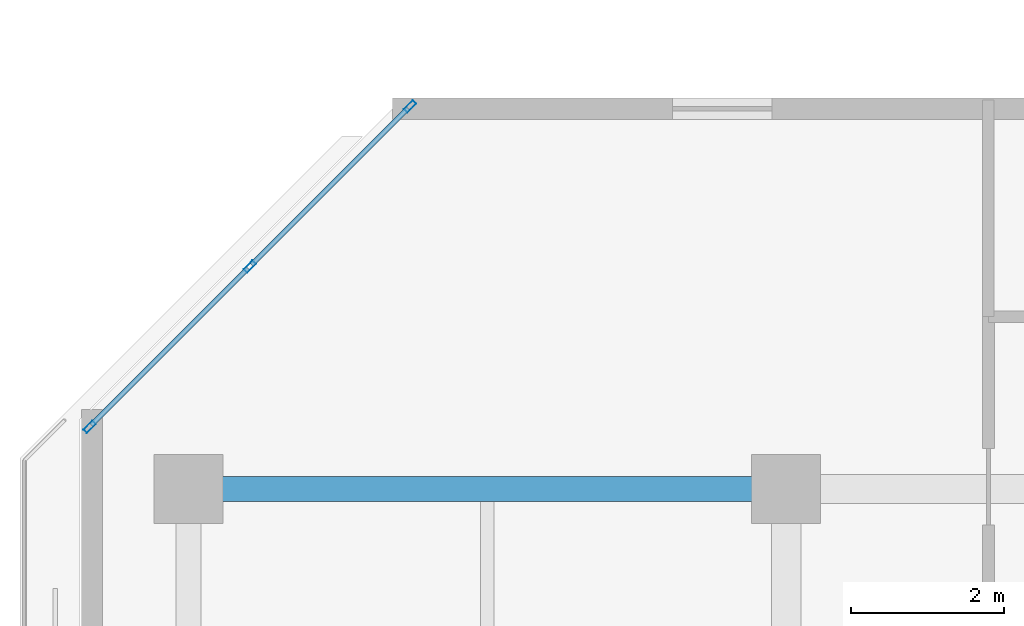
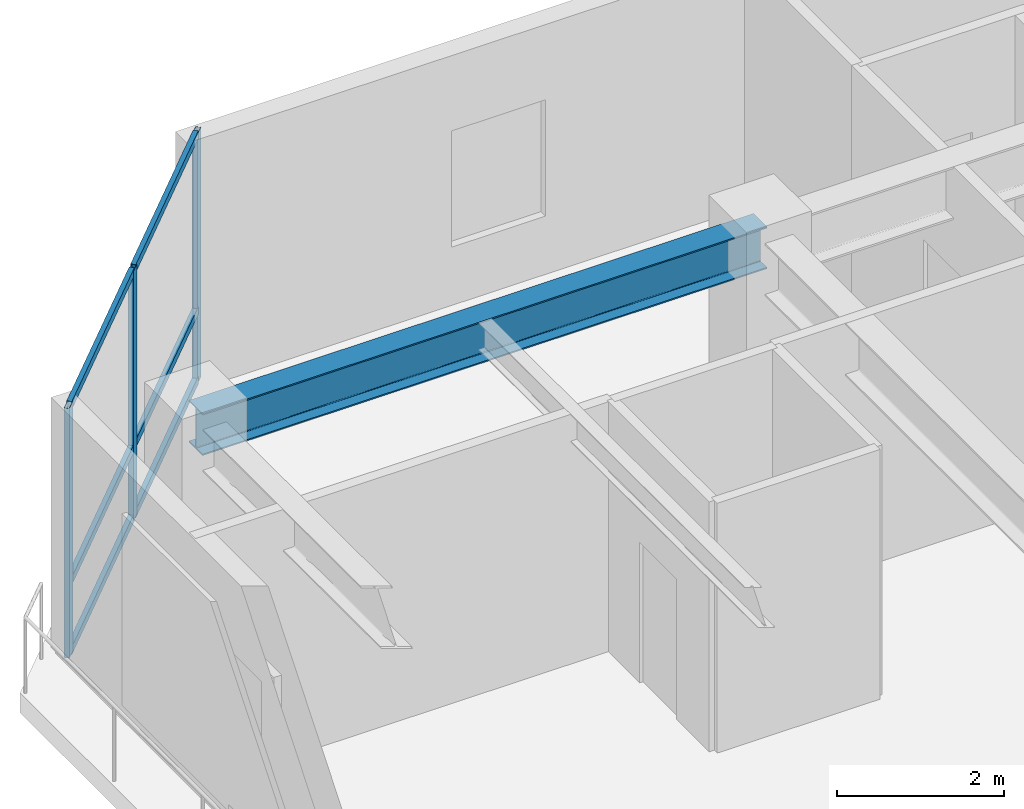
# One storey, part 2 of 10: 9 members, 1 beam, 1 element without a shape of its own.
"""IFC4 building model written with IfcOpenShell, lengths in metres."""

from ifc_helpers import new_model, si_unit, direction, frame, origin, origin_2d, place, context, subcontext, project, spatial, hollow_rectangle, i_section, extrude, material, layer, layer_set, material_profile, profile_set, type_object, element, aggregate, save


model = new_model("IFC4")

# Units and contexts
model_context = context("Model", 3, precision=1e-05, world=origin(), true_north=direction((0.0, 1.0)))
body_context = subcontext(model_context, "Body", "Model", "MODEL_VIEW")
ifc_project = project(units=[si_unit("LENGTHUNIT", "METRE"), si_unit("AREAUNIT", "SQUARE_METRE"), si_unit("VOLUMEUNIT", "CUBIC_METRE"), si_unit("PLANEANGLEUNIT", "RADIAN"), si_unit("MASSUNIT", "GRAM", prefix="KILO")], contexts=[model_context])

# Site, building, storey
site_placement = place(None, origin())
site = spatial("IfcSite", under=ifc_project, at=site_placement, CompositionType="ELEMENT")
building_placement = place(site_placement, origin())
building = spatial("IfcBuilding", under=site, at=building_placement, Name="Kestravale Grand Hotel", CompositionType="ELEMENT")
storey_placement = place(building_placement, frame((0.0, 0.0, 189.0)))
storey = spatial("IfcBuildingStorey", under=building, at=storey_placement, Name="L47", CompositionType="ELEMENT", Elevation=189.0)

# Beam
ifc_material_1 = material(Name="Steel ASTM A992 Grade 50", Category="steel")
ifc_material_profile_1 = material_profile(ifc_material_1, i_section(OverallWidth=0.324951171875, OverallDepth=0.612060546875, WebThickness=0.0126953125, FlangeThickness=0.01904296875, FilletRadius=0.018798828125, at=origin_2d()))
ifc_profile_set_1 = profile_set([ifc_material_profile_1], Name="Steel ASTM A992 Grade 50")
beam_type = type_object("IfcBeamType", Name="B-FLR-W24A", PredefinedType="SPANDREL", material=ifc_profile_set_1)
beam_placement = place(storey_placement, frame((7.800048828125, 38.39990234375, 3.343994140625), z_axis=(1.0, 0.0, 0.0), x_axis=(0.0, 1.0, 0.0)))
element("IfcBeam", 1, at=beam_placement, inside=storey, type_object=beam_type, Name="L47 spandrel F:2-3", PredefinedType="SPANDREL", context=body_context, shape_type="SweptSolid", body=[
    extrude(i_section(OverallWidth=0.324951171875, OverallDepth=0.612060546875, WebThickness=0.0126953125, FlangeThickness=0.01904296875, FilletRadius=0.018798828125, at=origin_2d()), origin(), (0.0, 0.0, 1.0), 7.800048828125),
])

# Curtain wall, members
ifc_material_2 = material(Name="Thermally broken champagne-bronze aluminium and low-E glazing", Category="aluminium")
ifc_layer = layer(ifc_material_2, 0.179931640625)
ifc_layer_set = layer_set([ifc_layer], Name="CW-Z3")
curtain_wall_type = type_object("IfcCurtainWallType", Name="CW-Z3", PredefinedType="NOTDEFINED", material=ifc_layer_set)
curtain_wall_placement = place(storey_placement, origin())
curtain_wall = element("IfcCurtainWall", 2, at=curtain_wall_placement, inside=storey, type_object=curtain_wall_type, Name="L47 unitised curtain wall 18", PredefinedType="NOTDEFINED")
ifc_material_3 = material(Name="Aluminium 6063-T6 anodised", Category="aluminium")
ifc_material_profile_2 = material_profile(ifc_material_3, hollow_rectangle(XDim=0.06494140625, YDim=0.1650390625, WallThickness=0.00341796875, at=origin_2d()))
ifc_profile_set_2 = profile_set([ifc_material_profile_2], Name="Aluminium 6063-T6 anodised")
member_type_1 = type_object("IfcMemberType", Name="CW-MUL-165", PredefinedType="MULLION", material=ifc_profile_set_2)
member_1_placement = place(storey_placement, frame((10.690185546875, 43.392333984375, 0.0), z_axis=(0.0, 0.0, 1.0), x_axis=(0.707106781187, -0.707106781187, 0.0)))
member_1 = element("IfcMember", 3, at=member_1_placement, type_object=member_type_1, Name="CW-Z3 mullion 1", PredefinedType="MULLION", context=body_context, shape_type="SweptSolid", body=[
    extrude(hollow_rectangle(XDim=0.06494140625, YDim=0.1650390625, WallThickness=0.00341796875, at=origin_2d()), origin(), (0.0, 0.0, 1.0), 3.64990234375),
])
member_2_placement = place(storey_placement, frame((8.59912109375, 41.301025390625, 0.0), z_axis=(0.0, 0.0, 1.0), x_axis=(0.707106781187, -0.707106781187, 0.0)))
member_2 = element("IfcMember", 4, at=member_2_placement, type_object=member_type_1, Name="CW-Z3 mullion 2", PredefinedType="MULLION", context=body_context, shape_type="SweptSolid", body=[
    extrude(hollow_rectangle(XDim=0.06494140625, YDim=0.1650390625, WallThickness=0.00341796875, at=origin_2d()), origin(), (0.0, 0.0, 1.0), 3.64990234375),
])
member_3_placement = place(storey_placement, frame((6.5078125, 39.209716796875, 0.0), z_axis=(0.0, 0.0, 1.0), x_axis=(0.707106781187, -0.707106781187, 0.0)))
member_3 = element("IfcMember", 5, at=member_3_placement, type_object=member_type_1, Name="CW-Z3 mullion 3", PredefinedType="MULLION", context=body_context, shape_type="SweptSolid", body=[
    extrude(hollow_rectangle(XDim=0.06494140625, YDim=0.1650390625, WallThickness=0.00341796875, at=origin_2d()), origin(), (0.0, 0.0, 1.0), 3.64990234375),
])
ifc_material_4 = material(Name="Aluminium 6063-T6 anodised", Category="aluminium")
ifc_material_profile_3 = material_profile(ifc_material_4, hollow_rectangle(XDim=0.06494140625, YDim=0.114990234375, WallThickness=0.003173828125, at=origin_2d()))
ifc_profile_set_3 = profile_set([ifc_material_profile_3], Name="Aluminium 6063-T6 anodised")
member_type_2 = type_object("IfcMemberType", Name="CW-TRN-115", PredefinedType="USERDEFINED", material=ifc_profile_set_3)
member_4_placement = place(storey_placement, frame((10.667236328125, 43.369140625, 0.032470703125), z_axis=(-0.707106781187, -0.707106781187, 0.0), x_axis=(0.707106781187, -0.707106781187, 0.0)))
member_4 = element("IfcMember", 6, at=member_4_placement, type_object=member_type_2, Name="CW-Z3 transom 1.1", ObjectType="TRANSOM", PredefinedType="USERDEFINED", context=body_context, shape_type="SweptSolid", body=[
    extrude(hollow_rectangle(XDim=0.06494140625, YDim=0.114990234375, WallThickness=0.003173828125, at=origin_2d()), origin(), (0.0, 0.0, 1.0), 2.892333984375),
])
member_5_placement = place(storey_placement, frame((10.667236328125, 43.369140625, 1.050048828125), z_axis=(-0.707106781187, -0.707106781187, 0.0), x_axis=(0.707106781187, -0.707106781187, 0.0)))
member_5 = element("IfcMember", 7, at=member_5_placement, type_object=member_type_2, Name="CW-Z3 transom 1.2", ObjectType="TRANSOM", PredefinedType="USERDEFINED", context=body_context, shape_type="SweptSolid", body=[
    extrude(hollow_rectangle(XDim=0.06494140625, YDim=0.114990234375, WallThickness=0.003173828125, at=origin_2d()), origin(), (0.0, 0.0, 1.0), 2.892333984375),
])
member_6_placement = place(storey_placement, frame((10.667236328125, 43.369140625, 3.617431640625), z_axis=(-0.707106781187, -0.707106781187, 0.0), x_axis=(0.707106781187, -0.707106781187, 0.0)))
member_6 = element("IfcMember", 8, at=member_6_placement, type_object=member_type_2, Name="CW-Z3 transom 1.3", ObjectType="TRANSOM", PredefinedType="USERDEFINED", context=body_context, shape_type="SweptSolid", body=[
    extrude(hollow_rectangle(XDim=0.06494140625, YDim=0.114990234375, WallThickness=0.003173828125, at=origin_2d()), origin(), (0.0, 0.0, 1.0), 2.892333984375),
])
member_7_placement = place(storey_placement, frame((8.575927734375, 41.278076171875, 0.032470703125), z_axis=(-0.707064577195, -0.707148982659, 0.0), x_axis=(0.707148982659, -0.707064577195, 0.0)))
member_7 = element("IfcMember", 9, at=member_7_placement, type_object=member_type_2, Name="CW-Z3 transom 2.1", ObjectType="TRANSOM", PredefinedType="USERDEFINED", context=body_context, shape_type="SweptSolid", body=[
    extrude(hollow_rectangle(XDim=0.06494140625, YDim=0.114990234375, WallThickness=0.003173828125, at=origin_2d()), origin(), (0.0, 0.0, 1.0), 2.892578125),
])
member_8_placement = place(storey_placement, frame((8.575927734375, 41.278076171875, 1.050048828125), z_axis=(-0.707064577195, -0.707148982659, 0.0), x_axis=(0.707148982659, -0.707064577195, 0.0)))
member_8 = element("IfcMember", 10, at=member_8_placement, type_object=member_type_2, Name="CW-Z3 transom 2.2", ObjectType="TRANSOM", PredefinedType="USERDEFINED", context=body_context, shape_type="SweptSolid", body=[
    extrude(hollow_rectangle(XDim=0.06494140625, YDim=0.114990234375, WallThickness=0.003173828125, at=origin_2d()), origin(), (0.0, 0.0, 1.0), 2.892578125),
])
member_9_placement = place(storey_placement, frame((8.575927734375, 41.278076171875, 3.617431640625), z_axis=(-0.707064577195, -0.707148982659, 0.0), x_axis=(0.707148982659, -0.707064577195, 0.0)))
member_9 = element("IfcMember", 11, at=member_9_placement, type_object=member_type_2, Name="CW-Z3 transom 2.3", ObjectType="TRANSOM", PredefinedType="USERDEFINED", context=body_context, shape_type="SweptSolid", body=[
    extrude(hollow_rectangle(XDim=0.06494140625, YDim=0.114990234375, WallThickness=0.003173828125, at=origin_2d()), origin(), (0.0, 0.0, 1.0), 2.892578125),
])
aggregate(curtain_wall, [member_1, member_2, member_3, member_4, member_5, member_6, member_7, member_8, member_9])

save(model, "model.ifc")
